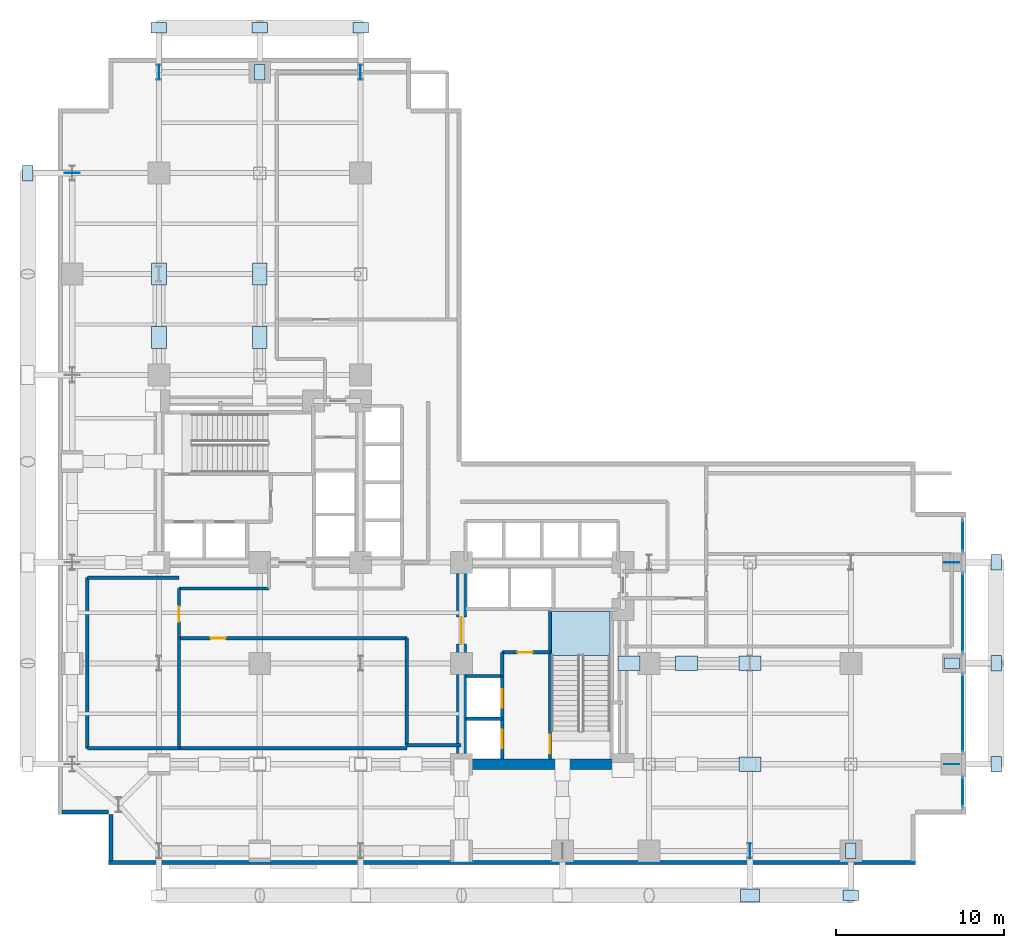
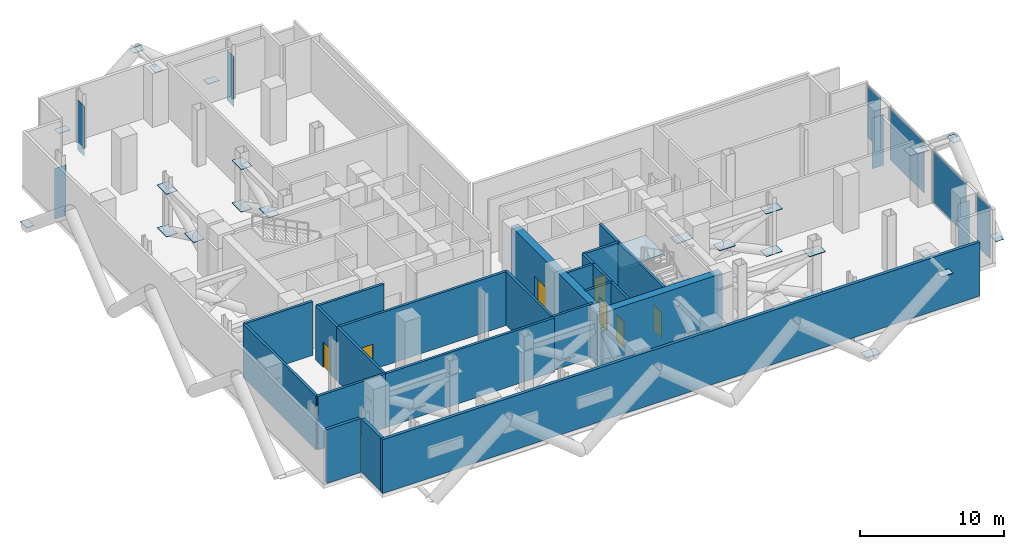
# One storey, part 7 of 10: 35 plates, 21 walls, 7 doors, 1 slab, 7 openings, 5 elements without a shape of their own.
"""IFC4 building model written with IfcOpenShell, lengths in metres."""

from ifc_helpers import new_model, si_unit, direction, frame, frame_2d, origin, origin_2d, place, context, subcontext, project, spatial, polyline, rectangle, outline, extrude, material, layer, layer_set, type_object, element, fill, aggregate, save


model = new_model("IFC4")

# Units and contexts
model_context = context("Model", 3, precision=1e-05, world=origin(), true_north=direction((0.0, 1.0)))
body_context = subcontext(model_context, "Body", "Model", "MODEL_VIEW")
ifc_project = project(units=[si_unit("LENGTHUNIT", "METRE"), si_unit("AREAUNIT", "SQUARE_METRE"), si_unit("VOLUMEUNIT", "CUBIC_METRE"), si_unit("PLANEANGLEUNIT", "RADIAN"), si_unit("MASSUNIT", "GRAM", prefix="KILO"), si_unit("THERMODYNAMICTEMPERATUREUNIT", "KELVIN"), si_unit("POWERUNIT", "WATT")], contexts=[model_context])

# Site, building, storey
site_placement = place(None, origin())
site = spatial("IfcSite", under=ifc_project, at=site_placement, CompositionType="ELEMENT")
building_placement = place(site_placement, origin())
building = spatial("IfcBuilding", under=site, at=building_placement, Name="Svarakhadi Broadcast Tower", CompositionType="ELEMENT")
storey_placement = place(building_placement, frame((0.0, 0.0, 94.800048828125)))
storey = spatial("IfcBuildingStorey", under=building, at=storey_placement, Name="L22", CompositionType="ELEMENT", Elevation=94.800048828125)

# Curtain wall, plate
ifc_material_1 = material(Name="Anodised Bronze Aluminium AA 6063-T6", Category="aluminium")
ifc_layer_1 = layer(ifc_material_1, 0.260009765625)
ifc_layer_set_1 = layer_set([ifc_layer_1], Name="Anodised Bronze Aluminium AA 6063-T6")
curtain_wall_type = type_object("IfcCurtainWallType", Name="CW_Sys_07", PredefinedType="NOTDEFINED", material=ifc_layer_set_1)
curtain_wall_1_placement = place(storey_placement, origin())
curtain_wall_1 = element("IfcCurtainWall", 1, at=curtain_wall_1_placement, inside=storey, type_object=curtain_wall_type, Name="L22 East Plant Daylighting Curtain Wall CW-07 Bay 1", PredefinedType="NOTDEFINED")
ifc_material_2 = material(Name="Triple Laminated Solar-Control Crown Glass 42 mm", Category="glass")
ifc_layer_2 = layer(ifc_material_2, 0.0419921875)
ifc_layer_set_2 = layer_set([ifc_layer_2], Name="Triple Laminated Solar-Control Crown Glass 42 mm")
plate_type_1 = type_object("IfcPlateType", Name="CW_Sys_07_Pnl", PredefinedType="CURTAIN_PANEL", material=ifc_layer_set_2)
plate_1_placement = place(storey_placement, frame((53.800048828125, 19.590087890625, 0.08984375), z_axis=(0.0, 0.0, 1.0), x_axis=(0.0, -1.0, 0.0)))
plate_1 = element("IfcPlate", 2, at=plate_1_placement, type_object=plate_type_1, Name="CW-07 panel 1.1", PredefinedType="CURTAIN_PANEL", context=body_context, shape_type="SweptSolid", body=[
    extrude(rectangle(XDim=1.860107421875, YDim=0.0419921875, at=origin_2d()), origin(), (0.0, 0.0, 1.0), 4.39501953125),
])
aggregate(curtain_wall_1, [plate_1])

curtain_wall_2_placement = place(storey_placement, origin())
curtain_wall_2 = element("IfcCurtainWall", 3, at=curtain_wall_2_placement, inside=storey, type_object=curtain_wall_type, Name="L22 East Plant Daylighting Curtain Wall CW-07 Bay 2", PredefinedType="NOTDEFINED")
plate_2_placement = place(storey_placement, frame((53.800048828125, 15.0, 0.08984375), z_axis=(0.0, 0.0, 1.0), x_axis=(0.0, -1.0, 0.0)))
plate_2 = element("IfcPlate", 4, at=plate_2_placement, type_object=plate_type_1, Name="CW-07 panel 1.1", PredefinedType="CURTAIN_PANEL", context=body_context, shape_type="SweptSolid", body=[
    extrude(rectangle(XDim=4.679931640625, YDim=0.0419921875, at=origin_2d()), origin(), (0.0, 0.0, 1.0), 4.39501953125),
])
aggregate(curtain_wall_2, [plate_2])

curtain_wall_3_placement = place(storey_placement, origin())
curtain_wall_3 = element("IfcCurtainWall", 5, at=curtain_wall_3_placement, inside=storey, type_object=curtain_wall_type, Name="L22 East Plant Daylighting Curtain Wall CW-07 Bay 3", PredefinedType="NOTDEFINED")
plate_3_placement = place(storey_placement, frame((53.800048828125, 9.050048828125, 0.08984375), z_axis=(0.0, 0.0, 1.0), x_axis=(0.0, -1.0, 0.0)))
plate_3 = element("IfcPlate", 6, at=plate_3_placement, type_object=plate_type_1, Name="CW-07 panel 1.1", PredefinedType="CURTAIN_PANEL", context=body_context, shape_type="SweptSolid", body=[
    extrude(rectangle(XDim=4.580078125, YDim=0.0419921875, at=origin_2d()), origin(), (0.0, 0.0, 1.0), 4.39501953125),
])
aggregate(curtain_wall_3, [plate_3])

curtain_wall_4_placement = place(storey_placement, origin())
curtain_wall_4 = element("IfcCurtainWall", 7, at=curtain_wall_4_placement, inside=storey, type_object=curtain_wall_type, Name="L22 East Plant Daylighting Curtain Wall CW-07 Bay 4", PredefinedType="NOTDEFINED")
plate_4_placement = place(storey_placement, frame((53.800048828125, 4.360107421875, 0.08984375), z_axis=(0.0, 0.0, 1.0), x_axis=(0.0, -1.0, 0.0)))
plate_4 = element("IfcPlate", 8, at=plate_4_placement, type_object=plate_type_1, Name="CW-07 panel 1.1", PredefinedType="CURTAIN_PANEL", context=body_context, shape_type="SweptSolid", body=[
    extrude(rectangle(XDim=1.760009765625, YDim=0.0419921875, at=origin_2d()), origin(), (0.0, 0.0, 1.0), 4.39501953125),
])
aggregate(curtain_wall_4, [plate_4])

# Plates
ifc_material_3 = material(Name="Steel S460ML (IS 2062 E450BR)", Category="steel")
ifc_layer_3 = layer(ifc_material_3, 0.035888671875)
ifc_layer_set_3 = layer_set([ifc_layer_3], Name="Steel S460ML (IS 2062 E450BR)")
plate_type_2 = type_object("IfcPlateType", Name="Node_Gusset_N01", PredefinedType="SHEET", material=ifc_layer_set_3)
plate_5_placement = place(storey_placement, frame((41.14990234375, -1.800048828125, -0.3251953125), z_axis=(0.0, 0.0, 1.0), x_axis=(1.0, 0.0, 0.0)))
element("IfcPlate", 9, at=plate_5_placement, inside=storey, type_object=plate_type_2, Name="L22 Exoskeleton Gusset Node Plate S04", PredefinedType="SHEET", context=body_context, shape_type="SweptSolid", body=[
    extrude(rectangle(XDim=1.14990234375, YDim=0.780029296875, at=origin_2d()), origin(), (0.0, 0.0, 1.0), 0.035888671875),
])
ifc_layer_4 = layer(ifc_material_3, 0.02587890625)
ifc_layer_set_4 = layer_set([ifc_layer_4], Name="Steel S460ML (IS 2062 E450BR)")
plate_type_3 = type_object("IfcPlateType", Name="Node_Gusset_N07", PredefinedType="SHEET", material=ifc_layer_set_4)
for number, where, z_axis, x_axis, name in (
    (10, (-1.800048828125, 41.14990234375, -0.324951171875), (0.0, 0.0, 1.0), (0.0, 1.0, 0.0), "L22 Exoskeleton Gusset Node Plate W08"),
    (11, (55.800048828125, 6.0, -0.324951171875), (0.0, 0.0, 1.0), (0.0, 1.0, 0.0), "L22 Exoskeleton Gusset Node Plate E09"),
    (12, (55.800048828125, 18.0, -0.324951171875), (0.0, 0.0, 1.0), (0.0, 1.0, 0.0), "L22 Exoskeleton Gusset Node Plate E10"),
    (13, (6.0, 49.800048828125, -0.324951171875), (0.0, 0.0, 1.0), (1.0, 0.0, 0.0), "L22 Exoskeleton Gusset Node Plate N11"),
    (14, (18.0, 49.800048828125, -0.324951171875), (0.0, 0.0, 1.0), (1.0, 0.0, 0.0), "L22 Exoskeleton Gusset Node Plate N12"),
):
    element("IfcPlate", number, at=place(storey_placement, frame(where, z_axis=z_axis, x_axis=x_axis)), inside=storey, type_object=plate_type_3, Name=name, PredefinedType="SHEET", context=body_context, shape_type="SweptSolid", body=[
        extrude(rectangle(XDim=0.919921875, YDim=0.6201171875, at=origin_2d()), origin(), (0.0, 0.0, 1.0), 0.02587890625),
    ])
plate_6_placement = place(storey_placement, frame((41.14990234375, 0.85009765625, -0.70263671875), z_axis=(0.0, 0.0, 1.0), x_axis=(0.0, 1.0, 0.0)))
element("IfcPlate", 15, at=plate_6_placement, inside=storey, type_object=plate_type_3, Name="L22 Brace End Connection Gusset Plate N-07-E0170", PredefinedType="SHEET", context=body_context, shape_type="SweptSolid", body=[
    extrude(rectangle(XDim=0.919921875, YDim=0.02587890625, at=origin_2d()), origin(), (0.0, 0.0, 1.0), 4.300048828125),
])
for number, where, z_axis, x_axis, name in (
    (16, (47.14990234375, -1.800048828125, 4.39990234375), (0.0, 0.0, 1.0), (1.0, 0.0, 0.0), "L22 Brace End Connection Gusset Plate N-07-E0171"),
    (17, (47.14990234375, 0.85009765625, 4.39990234375), (0.0, 0.0, 1.0), (0.0, 1.0, 0.0), "L22 Brace End Connection Gusset Plate N-07-E0172"),
):
    element("IfcPlate", number, at=place(storey_placement, frame(where, z_axis=z_axis, x_axis=x_axis)), inside=storey, type_object=plate_type_3, Name=name, PredefinedType="SHEET", context=body_context, shape_type="SweptSolid", body=[
        extrude(rectangle(XDim=0.919921875, YDim=0.6201171875, at=origin_2d()), origin(), (0.0, 0.0, 1.0), 0.02587890625),
    ])
for number, where, z_axis, x_axis, name in (
    (18, (0.85009765625, 41.14990234375, -0.70263671875), (0.0, 0.0, 1.0), (1.0, 0.0, 0.0), "L22 Brace End Connection Gusset Plate N-07-E0176"),
    (19, (53.14990234375, 6.0, -0.70263671875), (0.0, 0.0, 1.0), (1.0, 0.0, 0.0), "L22 Brace End Connection Gusset Plate N-07-E0177"),
    (20, (53.14990234375, 18.0, -0.70263671875), (0.0, 0.0, 1.0), (1.0, 0.0, 0.0), "L22 Brace End Connection Gusset Plate N-07-E0178"),
):
    element("IfcPlate", number, at=place(storey_placement, frame(where, z_axis=z_axis, x_axis=x_axis)), inside=storey, type_object=plate_type_3, Name=name, PredefinedType="SHEET", context=body_context, shape_type="SweptSolid", body=[
        extrude(rectangle(XDim=0.919921875, YDim=0.02587890625, at=origin_2d()), origin(), (0.0, 0.0, 1.0), 4.300048828125),
    ])
for number, where, z_axis, x_axis, name in (
    (21, (55.800048828125, 12.0, 4.39990234375), (0.0, 0.0, 1.0), (0.0, 1.0, 0.0), "L22 Brace End Connection Gusset Plate N-07-E0179"),
    (22, (53.14990234375, 12.0, 4.39990234375), (0.0, 0.0, 1.0), (1.0, 0.0, 0.0), "L22 Brace End Connection Gusset Plate N-07-E0180"),
):
    element("IfcPlate", number, at=place(storey_placement, frame(where, z_axis=z_axis, x_axis=x_axis)), inside=storey, type_object=plate_type_3, Name=name, PredefinedType="SHEET", context=body_context, shape_type="SweptSolid", body=[
        extrude(rectangle(XDim=0.919921875, YDim=0.6201171875, at=origin_2d()), origin(), (0.0, 0.0, 1.0), 0.02587890625),
    ])
for number, where, z_axis, x_axis, name in (
    (23, (6.0, 47.14990234375, -0.70263671875), (0.0, 0.0, 1.0), (0.0, 1.0, 0.0), "L22 Brace End Connection Gusset Plate N-07-E0181"),
    (24, (18.0, 47.14990234375, -0.70263671875), (0.0, 0.0, 1.0), (0.0, 1.0, 0.0), "L22 Brace End Connection Gusset Plate N-07-E0182"),
):
    element("IfcPlate", number, at=place(storey_placement, frame(where, z_axis=z_axis, x_axis=x_axis)), inside=storey, type_object=plate_type_3, Name=name, PredefinedType="SHEET", context=body_context, shape_type="SweptSolid", body=[
        extrude(rectangle(XDim=0.919921875, YDim=0.02587890625, at=origin_2d()), origin(), (0.0, 0.0, 1.0), 4.300048828125),
    ])
for number, where, z_axis, x_axis, name in (
    (25, (12.0, 49.800048828125, 4.39990234375), (0.0, 0.0, 1.0), (1.0, 0.0, 0.0), "L22 Brace End Connection Gusset Plate N-07-E0183"),
    (26, (12.0, 47.14990234375, 4.39990234375), (0.0, 0.0, 1.0), (0.0, 1.0, 0.0), "L22 Brace End Connection Gusset Plate N-07-E0184"),
):
    element("IfcPlate", number, at=place(storey_placement, frame(where, z_axis=z_axis, x_axis=x_axis)), inside=storey, type_object=plate_type_3, Name=name, PredefinedType="SHEET", context=body_context, shape_type="SweptSolid", body=[
        extrude(rectangle(XDim=0.919921875, YDim=0.6201171875, at=origin_2d()), origin(), (0.0, 0.0, 1.0), 0.02587890625),
    ])
ifc_layer_5 = layer(ifc_material_3, 0.0419921875)
ifc_layer_set_5 = layer_set([ifc_layer_5], Name="Steel S460ML (IS 2062 E450BR)")
plate_type_4 = type_object("IfcPlateType", Name="Outrigger_Node_ON01", PredefinedType="SHEET", material=ifc_layer_set_5)
for number, where, z_axis, x_axis, name in (
    (27, (6.0, 31.375, 1.79150390625), (0.0, 0.0, 1.0), (0.0, 1.0, 0.0), "L22 Outrigger Truss Crossing Gusset Plate ON-01-03"),
    (28, (12.0, 31.375, 1.79150390625), (0.0, 0.0, 1.0), (0.0, 1.0, 0.0), "L22 Outrigger Truss Crossing Gusset Plate ON-01-04"),
    (29, (37.375, 12.0, 1.79150390625), (0.0, 0.0, 1.0), (1.0, 0.0, 0.0), "L22 Outrigger Truss Crossing Gusset Plate ON-01-08"),
    (30, (6.0, 35.14990234375, 3.60400390625), (0.0, 0.0, 1.0), (0.0, 1.0, 0.0), "L22 Brace End Connection Gusset Plate ON-01-E0612"),
    (31, (6.0, 35.14990234375, -0.02099609375), (0.0, 0.0, 1.0), (0.0, 1.0, 0.0), "L22 Brace End Connection Gusset Plate ON-01-E0613"),
    (32, (12.0, 35.14990234375, 3.60400390625), (0.0, 0.0, 1.0), (0.0, 1.0, 0.0), "L22 Brace End Connection Gusset Plate ON-01-E0616"),
    (33, (12.0, 35.14990234375, -0.02099609375), (0.0, 0.0, 1.0), (0.0, 1.0, 0.0), "L22 Brace End Connection Gusset Plate ON-01-E0617"),
    (34, (41.14990234375, 6.0, 3.60400390625), (0.0, 0.0, 1.0), (1.0, 0.0, 0.0), "L22 Brace End Connection Gusset Plate ON-01-E0626"),
    (35, (41.14990234375, 6.0, -0.02099609375), (0.0, 0.0, 1.0), (1.0, 0.0, 0.0), "L22 Brace End Connection Gusset Plate ON-01-E0627"),
    (36, (33.949951171875, 12.0, -0.02099609375), (0.0, 0.0, 1.0), (1.0, 0.0, 0.0), "L22 Brace End Connection Gusset Plate ON-01-E0629"),
    (37, (41.14990234375, 12.0, 3.60400390625), (0.0, 0.0, 1.0), (1.0, 0.0, 0.0), "L22 Brace End Connection Gusset Plate ON-01-E0630"),
    (38, (41.14990234375, 12.0, -0.02099609375), (0.0, 0.0, 1.0), (1.0, 0.0, 0.0), "L22 Brace End Connection Gusset Plate ON-01-E0631"),
    (39, (33.949951171875, 12.0, 3.60400390625), (0.0, 0.0, 1.0), (1.0, 0.0, 0.0), "L22 Brace End Connection Gusset Plate ON-01-E0632"),
):
    element("IfcPlate", number, at=place(storey_placement, frame(where, z_axis=z_axis, x_axis=x_axis)), inside=storey, type_object=plate_type_4, Name=name, PredefinedType="SHEET", context=body_context, shape_type="SweptSolid", body=[
        extrude(rectangle(XDim=1.300048828125, YDim=0.8798828125, at=origin_2d()), origin(), (0.0, 0.0, 1.0), 0.0419921875),
    ])

# Stair, slab
ifc_material_4 = material(Name="Concrete C40/50 (IS 456 M50)", Category="concrete")
stair_type = type_object("IfcStairType", Name="Stair_Exit_Core", PredefinedType="HALF_TURN_STAIR", material=ifc_material_4)
stair_placement = place(storey_placement, origin())
stair = element("IfcStair", 40, at=stair_placement, inside=storey, type_object=stair_type, Name="L22 East Core Protected Exit Stair ST-02", PredefinedType="HALF_TURN_STAIR")
ifc_layer_6 = layer(ifc_material_4, 0.199951171875)
ifc_layer_set_6 = layer_set([ifc_layer_6], Name="Concrete C40/50 (IS 456 M50)")
slab_type = type_object("IfcSlabType", Name="Slab_Stair_Land", PredefinedType="LANDING", material=ifc_layer_set_6)
slab_placement = place(storey_placement, frame((0.0, 0.0, 2.199951171875)))
slab = element("IfcSlab", 41, at=slab_placement, type_object=slab_type, Name="ST-02 landing 1", PredefinedType="LANDING", context=body_context, shape_type="SweptSolid", body=[
    extrude(outline(polyline([(32.840087890625, 12.47998046875), (32.840087890625, 15.080078125), (29.360107421875, 15.080078125), (29.360107421875, 12.47998046875), (32.840087890625, 12.47998046875)])), origin(), (0.0, 0.0, 1.0), 0.199951171875),
])
aggregate(stair, [slab])

# Walls
ifc_layer_7 = layer(ifc_material_4, 0.239990234375)
ifc_layer_set_7 = layer_set([ifc_layer_7], Name="Concrete C40/50 (IS 456 M50)")
wall_type_1 = type_object("IfcWallType", Name="Wall_Ext_240", PredefinedType="SOLIDWALL", material=ifc_layer_set_7)
wall_1_placement = place(storey_placement, frame((51.0, 0.14990234375, 0.0), z_axis=(0.0, 0.0, 1.0), x_axis=(-1.0, 0.0, 0.0)))
element("IfcWall", 42, at=wall_1_placement, inside=storey, type_object=wall_type_1, Name="L22 South Mechanical Acoustic Louvred Plant Wall", PredefinedType="SOLIDWALL", context=body_context, shape_type="SweptSolid", body=[
    extrude(rectangle(XDim=48.0, YDim=0.239990234375, at=frame_2d((24.0, 0.0))), origin(), (0.0, 0.0, 1.0), 4.574951171875),
])
for number, where, z_axis, x_axis, name in (
    (43, (3.0, 3.14990234375, 0.0), (0.0, 0.0, 1.0), (-1.0, 0.0, 0.0), "L22 Perimeter Bronze Spandrel Closure Wall 01"),
    (44, (3.14990234375, 0.2548828125, 0.0), (0.0, 0.0, 1.0), (0.0, 1.0, 0.0), "L22 Perimeter Bronze Spandrel Closure Wall 16"),
):
    element("IfcWall", number, at=place(storey_placement, frame(where, z_axis=z_axis, x_axis=x_axis)), inside=storey, type_object=wall_type_1, Name=name, PredefinedType="SOLIDWALL", context=body_context, shape_type="SweptSolid", body=[
        extrude(rectangle(XDim=2.7451171875, YDim=0.239990234375, at=frame_2d((1.37255859375, 0.0))), origin(), (0.0, 0.0, 1.0), 4.574951171875),
    ])

# Wall, opening, door
ifc_layer_8 = layer(ifc_material_4, 0.199951171875)
ifc_layer_set_8 = layer_set([ifc_layer_8], Name="Concrete C40/50 (IS 456 M50)")
wall_type_2 = type_object("IfcWallType", Name="Wall_Fire_200", PredefinedType="SOLIDWALL", material=ifc_layer_set_8)
wall_2_placement = place(storey_placement, frame((20.75, 13.5, 0.0), z_axis=(0.0, 0.0, 1.0), x_axis=(-1.0, 0.0, 0.0)))
wall_2 = element("IfcWall", 45, at=wall_2_placement, inside=storey, type_object=wall_type_2, Name="L22 Plant Service Corridor Wall", PredefinedType="SOLIDWALL", context=body_context, shape_type="SweptSolid", body=[
    extrude(rectangle(XDim=13.550048828125, YDim=0.199951171875, at=frame_2d((6.77490234375, 0.0))), origin(), (0.0, 0.0, 1.0), 4.574951171875),
])
opening_1_placement = place(wall_2_placement, frame((10.77490234375, 0.0, 0.0)))
opening_1 = element("IfcOpeningElement", 46, at=opening_1_placement, cuts=wall_2, Name="Opening D-03", PredefinedType="OPENING", context=body_context, shape_type="SweptSolid", body=[
    extrude(rectangle(XDim=0.89990234375, YDim=2.14990234375, at=frame_2d((0.449951171875, 1.074951171875))), frame((0.0, 0.10986328125, 0.0), z_axis=(0.0, -1.0, 0.0), x_axis=(1.0, 0.0, 0.0)), (0.0, 0.0, 1.0), 0.219970703125),
])
ifc_material_5 = material(Name="Galvanised Powder-Coated Fire-Rated Steel Leaf", Category="steel")
door_type_1 = type_object("IfcDoorType", Name="Door_Fire_D03", OperationType="SINGLE_SWING_LEFT", PredefinedType="DOOR", material=ifc_material_5)
door_1_placement = place(opening_1_placement, origin())
door_1 = element("IfcDoor", 47, at=door_1_placement, inside=storey, type_object=door_type_1, Name="L22 Pressurised Fire Refuge Area West Door", OperationType="SINGLE_SWING_LEFT", OverallHeight=2.14990234375, OverallWidth=0.89990234375, PredefinedType="DOOR", context=body_context, shape_type="SweptSolid", body=[
    extrude(rectangle(XDim=0.89990234375, YDim=2.14990234375, at=frame_2d((0.449951171875, 1.074951171875))), frame((0.0, 0.02490234375, 0.0), z_axis=(0.0, -1.0, 0.0), x_axis=(1.0, 0.0, 0.0)), (0.0, 0.0, 1.0), 0.050048828125),
])
fill(opening_1, door_1)

wall_3_placement = place(storey_placement, frame((7.199951171875, 13.5, 0.0), z_axis=(0.0, 0.0, 1.0), x_axis=(0.0, 1.0, 0.0)))
wall_3 = element("IfcWall", 48, at=wall_3_placement, inside=storey, type_object=wall_type_2, Name="L22 Plant Service Corridor Wall", PredefinedType="SOLIDWALL", context=body_context, shape_type="SweptSolid", body=[
    extrude(rectangle(XDim=2.949951171875, YDim=0.199951171875, at=frame_2d((1.47509765625, 0.0))), origin(), (0.0, 0.0, 1.0), 4.574951171875),
])
opening_2_placement = place(wall_3_placement, frame((0.97509765625, 0.0, 0.0)))
opening_2 = element("IfcOpeningElement", 49, at=opening_2_placement, cuts=wall_3, Name="Opening D-04", PredefinedType="OPENING", context=body_context, shape_type="SweptSolid", body=[
    extrude(rectangle(XDim=0.89990234375, YDim=2.14990234375, at=frame_2d((0.449951171875, 1.074951171875))), frame((0.0, 0.10986328125, 0.0), z_axis=(0.0, -1.0, 0.0), x_axis=(1.0, 0.0, 0.0)), (0.0, 0.0, 1.0), 0.219970703125),
])
door_type_2 = type_object("IfcDoorType", Name="Door_Fire_D04", OperationType="SINGLE_SWING_RIGHT", PredefinedType="DOOR", material=ifc_material_5)
door_2_placement = place(opening_2_placement, origin())
door_2 = element("IfcDoor", 50, at=door_2_placement, inside=storey, type_object=door_type_2, Name="L22 Primary Supply Air Handling Plant Room Door", OperationType="SINGLE_SWING_RIGHT", OverallHeight=2.14990234375, OverallWidth=0.89990234375, PredefinedType="DOOR", context=body_context, shape_type="SweptSolid", body=[
    extrude(rectangle(XDim=0.89990234375, YDim=2.14990234375, at=frame_2d((0.449951171875, 1.074951171875))), frame((0.0, 0.02490234375, 0.0), z_axis=(0.0, -1.0, 0.0), x_axis=(1.0, 0.0, 0.0)), (0.0, 0.0, 1.0), 0.050048828125),
])
fill(opening_2, door_2)

# Walls
wall_4_placement = place(storey_placement, frame((7.199951171875, 16.449951171875, 0.0), z_axis=(0.0, 0.0, 1.0), x_axis=(1.0, 0.0, 0.0)))
element("IfcWall", 51, at=wall_4_placement, inside=storey, type_object=wall_type_2, Name="L22 Plant Service Corridor Wall", PredefinedType="SOLIDWALL", context=body_context, shape_type="SweptSolid", body=[
    extrude(rectangle(XDim=5.35009765625, YDim=0.199951171875, at=frame_2d((2.675048828125, 0.0))), origin(), (0.0, 0.0, 1.0), 4.574951171875),
])
wall_5_placement = place(storey_placement, frame((23.97998046875, 7.1201171875, 0.0), z_axis=(0.0, 0.0, 1.0), x_axis=(-1.0, 0.0, 0.0)))
element("IfcWall", 52, at=wall_5_placement, inside=storey, type_object=wall_type_2, Name="L22 Plant Service Corridor Wall", PredefinedType="SOLIDWALL", context=body_context, shape_type="SweptSolid", body=[
    extrude(rectangle(XDim=3.22998046875, YDim=0.199951171875, at=frame_2d((1.614990234375, 0.0))), origin(), (0.0, 0.0, 1.0), 4.574951171875),
])
wall_6_placement = place(storey_placement, frame((20.75, 7.1201171875, 0.0), z_axis=(0.0, 0.0, 1.0), x_axis=(0.0, 1.0, 0.0)))
element("IfcWall", 53, at=wall_6_placement, inside=storey, type_object=wall_type_2, Name="L22 Plant Service Corridor Wall", PredefinedType="SOLIDWALL", context=body_context, shape_type="SweptSolid", body=[
    extrude(rectangle(XDim=6.3798828125, YDim=0.199951171875, at=frame_2d((3.18994140625, 0.0))), origin(), (0.0, 0.0, 1.0), 4.574951171875),
])
wall_7_placement = place(storey_placement, frame((7.199951171875, 6.949951171875, 0.0), z_axis=(0.0, 0.0, 1.0), x_axis=(1.0, 0.0, 0.0)))
element("IfcWall", 54, at=wall_7_placement, inside=storey, type_object=wall_type_2, Name="L22 Pressurised Fire Refuge Area West Wall", PredefinedType="SOLIDWALL", context=body_context, shape_type="SweptSolid", body=[
    extrude(rectangle(XDim=13.550048828125, YDim=0.199951171875, at=frame_2d((6.77490234375, 0.0))), origin(), (0.0, 0.0, 1.0), 4.574951171875),
])
wall_8_placement = place(storey_placement, frame((7.199951171875, 6.949951171875, 0.0), z_axis=(0.0, 0.0, 1.0), x_axis=(0.0, 1.0, 0.0)))
element("IfcWall", 55, at=wall_8_placement, inside=storey, type_object=wall_type_2, Name="L22 Pressurised Fire Refuge Area West Wall", PredefinedType="SOLIDWALL", context=body_context, shape_type="SweptSolid", body=[
    extrude(rectangle(XDim=6.550048828125, YDim=0.199951171875, at=frame_2d((3.27490234375, 0.0))), origin(), (0.0, 0.0, 1.0), 4.574951171875),
])
for number, where, z_axis, x_axis, name in (
    (56, (1.75, 6.949951171875, 0.0), (0.0, 0.0, 1.0), (1.0, 0.0, 0.0), "L22 Primary Supply Air Handling Plant Room Wall"),
    (57, (1.75, 17.10009765625, 0.0), (0.0, 0.0, 1.0), (1.0, 0.0, 0.0), "L22 Primary Supply Air Handling Plant Room Wall"),
):
    element("IfcWall", number, at=place(storey_placement, frame(where, z_axis=z_axis, x_axis=x_axis)), inside=storey, type_object=wall_type_2, Name=name, PredefinedType="SOLIDWALL", context=body_context, shape_type="SweptSolid", body=[
        extrude(rectangle(XDim=5.449951171875, YDim=0.199951171875, at=frame_2d((2.72509765625, 0.0))), origin(), (0.0, 0.0, 1.0), 4.574951171875),
    ])
wall_9_placement = place(storey_placement, frame((1.75, 6.949951171875, 0.0), z_axis=(0.0, 0.0, 1.0), x_axis=(0.0, 1.0, 0.0)))
element("IfcWall", 58, at=wall_9_placement, inside=storey, type_object=wall_type_2, Name="L22 Primary Supply Air Handling Plant Room Wall", PredefinedType="SOLIDWALL", context=body_context, shape_type="SweptSolid", body=[
    extrude(rectangle(XDim=10.150146484375, YDim=0.199951171875, at=frame_2d((5.0751953125, 0.0))), origin(), (0.0, 0.0, 1.0), 4.574951171875),
])

# Wall, opening, door
ifc_material_6 = material(Name="Concrete C50/60 (IS 456 M60)", Category="concrete")
ifc_layer_9 = layer(ifc_material_6, 0.199951171875)
ifc_layer_set_9 = layer_set([ifc_layer_9], Name="Concrete C50/60 (IS 456 M60)")
wall_type_3 = type_object("IfcWallType", Name="Wall_Shear_200", PredefinedType="SHEAR", material=ifc_layer_set_9)
wall_10_placement = place(storey_placement, frame((29.260009765625, 6.300048828125, 0.0), z_axis=(0.0, 0.0, 1.0), x_axis=(0.0, 1.0, 0.0)))
wall_10 = element("IfcWall", 59, at=wall_10_placement, inside=storey, type_object=wall_type_3, Name="L22 Stair ST-02 West RC Shaft Wall", PredefinedType="SHEAR", context=body_context, shape_type="SweptSolid", body=[
    extrude(rectangle(XDim=8.8798828125, YDim=0.199951171875, at=frame_2d((4.43994140625, 0.0))), origin(), (0.0, 0.0, 1.0), 4.574951171875),
])
opening_3_placement = place(wall_10_placement, frame((0.35009765625, 0.0, 0.0)))
opening_3 = element("IfcOpeningElement", 60, at=opening_3_placement, cuts=wall_10, Name="Opening D-02", PredefinedType="OPENING", context=body_context, shape_type="SweptSolid", body=[
    extrude(rectangle(XDim=1.10009765625, YDim=2.199951171875, at=frame_2d((0.550048828125, 1.10009765625))), frame((0.0, 0.10986328125, 0.0), z_axis=(0.0, -1.0, 0.0), x_axis=(1.0, 0.0, 0.0)), (0.0, 0.0, 1.0), 0.219970703125),
])
door_type_3 = type_object("IfcDoorType", Name="Door_Stair_D02", OperationType="SINGLE_SWING_RIGHT", PredefinedType="DOOR", material=ifc_material_5)
door_3_placement = place(opening_3_placement, origin())
door_3 = element("IfcDoor", 61, at=door_3_placement, inside=storey, type_object=door_type_3, Name="L22 Protected Exit Stair ST-02 Fire Door", OperationType="SINGLE_SWING_RIGHT", OverallHeight=2.199951171875, OverallWidth=1.10009765625, PredefinedType="DOOR", context=body_context, shape_type="SweptSolid", body=[
    extrude(rectangle(XDim=1.10009765625, YDim=2.199951171875, at=frame_2d((0.550048828125, 1.10009765625))), frame((0.0, 0.02490234375, 0.0), z_axis=(0.0, -1.0, 0.0), x_axis=(1.0, 0.0, 0.0)), (0.0, 0.0, 1.0), 0.050048828125),
])
fill(opening_3, door_3)

# Wall, openings, doors
wall_11_placement = place(storey_placement, frame((26.419921875, 6.300048828125, 0.0), z_axis=(0.0, 0.0, 1.0), x_axis=(0.0, 1.0, 0.0)))
wall_11 = element("IfcWall", 62, at=wall_11_placement, inside=storey, type_object=wall_type_3, Name="L22 Firefighting Lift LF-03/04 Shaft Wall", PredefinedType="SHEAR", context=body_context, shape_type="SweptSolid", body=[
    extrude(rectangle(XDim=4.949951171875, YDim=0.199951171875, at=frame_2d((2.47509765625, 0.0))), origin(), (0.0, 0.0, 1.0), 4.574951171875),
])
opening_4_placement = place(wall_11_placement, frame((0.64990234375, 0.0, 0.0)))
opening_4 = element("IfcOpeningElement", 63, at=opening_4_placement, cuts=wall_11, Name="Opening LD-01", PredefinedType="OPENING", context=body_context, shape_type="SweptSolid", body=[
    extrude(rectangle(XDim=1.10009765625, YDim=2.199951171875, at=frame_2d((0.550048828125, 1.10009765625))), frame((0.0, 0.10986328125, 0.0), z_axis=(0.0, -1.0, 0.0), x_axis=(1.0, 0.0, 0.0)), (0.0, 0.0, 1.0), 0.219970703125),
])
opening_5_placement = place(wall_11_placement, frame((3.050048828125, 0.0, 0.0)))
opening_5 = element("IfcOpeningElement", 64, at=opening_5_placement, cuts=wall_11, Name="Opening LD-01", PredefinedType="OPENING", context=body_context, shape_type="SweptSolid", body=[
    extrude(rectangle(XDim=1.10009765625, YDim=2.199951171875, at=frame_2d((0.550048828125, 1.10009765625))), frame((0.0, 0.10986328125, 0.0), z_axis=(0.0, -1.0, 0.0), x_axis=(1.0, 0.0, 0.0)), (0.0, 0.0, 1.0), 0.219970703125),
])
door_type_4 = type_object("IfcDoorType", Name="Door_Lift_LD01", OperationType="SLIDING_TO_LEFT", PredefinedType="DOOR", material=ifc_material_5)
door_4_placement = place(opening_4_placement, origin())
door_4 = element("IfcDoor", 65, at=door_4_placement, inside=storey, type_object=door_type_4, Name="L22 Firefighting Lift LF-03 Landing Door", OperationType="SLIDING_TO_LEFT", OverallHeight=2.199951171875, OverallWidth=1.10009765625, PredefinedType="DOOR", context=body_context, shape_type="SweptSolid", body=[
    extrude(rectangle(XDim=1.10009765625, YDim=2.199951171875, at=frame_2d((0.550048828125, 1.10009765625))), frame((0.0, 0.02490234375, 0.0), z_axis=(0.0, -1.0, 0.0), x_axis=(1.0, 0.0, 0.0)), (0.0, 0.0, 1.0), 0.050048828125),
])
fill(opening_4, door_4)
door_5_placement = place(opening_5_placement, origin())
door_5 = element("IfcDoor", 66, at=door_5_placement, inside=storey, type_object=door_type_4, Name="L22 Firefighting Lift LF-04 Landing Door", OperationType="SLIDING_TO_LEFT", OverallHeight=2.199951171875, OverallWidth=1.10009765625, PredefinedType="DOOR", context=body_context, shape_type="SweptSolid", body=[
    extrude(rectangle(XDim=1.10009765625, YDim=2.199951171875, at=frame_2d((0.550048828125, 1.10009765625))), frame((0.0, 0.02490234375, 0.0), z_axis=(0.0, -1.0, 0.0), x_axis=(1.0, 0.0, 0.0)), (0.0, 0.0, 1.0), 0.050048828125),
])
fill(opening_5, door_5)

# Walls
for number, where, z_axis, x_axis, name in (
    (67, (24.25, 8.699951171875, 0.0), (0.0, 0.0, 1.0), (1.0, 0.0, 0.0), "L22 Firefighting Lift LF-03/04 Divider Wall"),
    (68, (24.25, 11.25, 0.0), (0.0, 0.0, 1.0), (1.0, 0.0, 0.0), "L22 Firefighting Lift LF-04 North Wall"),
):
    element("IfcWall", number, at=place(storey_placement, frame(where, z_axis=z_axis, x_axis=x_axis)), inside=storey, type_object=wall_type_3, Name=name, PredefinedType="SHEAR", context=body_context, shape_type="SweptSolid", body=[
        extrude(rectangle(XDim=2.169921875, YDim=0.199951171875, at=frame_2d((1.0849609375, 0.0))), origin(), (0.0, 0.0, 1.0), 4.574951171875),
    ])
wall_12_placement = place(storey_placement, frame((26.419921875, 11.25, 0.0), z_axis=(0.0, 0.0, 1.0), x_axis=(0.0, 1.0, 0.0)))
element("IfcWall", 69, at=wall_12_placement, inside=storey, type_object=wall_type_3, Name="L22 East Firefighting Lobby West Wall", PredefinedType="SHEAR", context=body_context, shape_type="SweptSolid", body=[
    extrude(rectangle(XDim=1.39990234375, YDim=0.199951171875, at=frame_2d((0.699951171875, 0.0))), origin(), (0.0, 0.0, 1.0), 4.574951171875),
])

# Wall, opening, door
wall_13_placement = place(storey_placement, frame((26.419921875, 12.64990234375, 0.0), z_axis=(0.0, 0.0, 1.0), x_axis=(1.0, 0.0, 0.0)))
wall_13 = element("IfcWall", 70, at=wall_13_placement, inside=storey, type_object=wall_type_3, Name="L22 East Firefighting Lobby North Wall", PredefinedType="SHEAR", context=body_context, shape_type="SweptSolid", body=[
    extrude(rectangle(XDim=2.840087890625, YDim=0.199951171875, at=frame_2d((1.419921875, 0.0))), origin(), (0.0, 0.0, 1.0), 4.574951171875),
])
opening_6_placement = place(wall_13_placement, frame((0.89990234375, 0.0, 0.0)))
opening_6 = element("IfcOpeningElement", 71, at=opening_6_placement, cuts=wall_13, Name="Opening D-03", PredefinedType="OPENING", context=body_context, shape_type="SweptSolid", body=[
    extrude(rectangle(XDim=0.89990234375, YDim=2.14990234375, at=frame_2d((0.449951171875, 1.074951171875))), frame((0.0, 0.10986328125, 0.0), z_axis=(0.0, -1.0, 0.0), x_axis=(1.0, 0.0, 0.0)), (0.0, 0.0, 1.0), 0.219970703125),
])
door_6_placement = place(opening_6_placement, origin())
door_6 = element("IfcDoor", 72, at=door_6_placement, inside=storey, type_object=door_type_1, Name="L22 East Firefighting Lobby Fire Door", OperationType="SINGLE_SWING_LEFT", OverallHeight=2.14990234375, OverallWidth=0.89990234375, PredefinedType="DOOR", context=body_context, shape_type="SweptSolid", body=[
    extrude(rectangle(XDim=0.89990234375, YDim=2.14990234375, at=frame_2d((0.449951171875, 1.074951171875))), frame((0.0, 0.02490234375, 0.0), z_axis=(0.0, -1.0, 0.0), x_axis=(1.0, 0.0, 0.0)), (0.0, 0.0, 1.0), 0.050048828125),
])
fill(opening_6, door_6)

# Wall
ifc_material_7 = material(Name="Concrete C60/75 (IS 456 M70)", Category="concrete")
ifc_layer_10 = layer(ifc_material_7, 0.60009765625)
ifc_layer_set_10 = layer_set([ifc_layer_10], Name="Concrete C60/75 (IS 456 M70)")
wall_type_4 = type_object("IfcWallType", Name="Wall_Shear_600", PredefinedType="SHEAR", material=ifc_layer_set_10)
wall_14_placement = place(storey_placement, frame((24.0, 6.0, 0.0), z_axis=(0.0, 0.0, 1.0), x_axis=(1.0, 0.0, 0.0)))
element("IfcWall", 73, at=wall_14_placement, inside=storey, type_object=wall_type_4, Name="L22 East Core South Shear Wall", PredefinedType="SHEAR", context=body_context, shape_type="SweptSolid", body=[
    extrude(rectangle(XDim=9.60009765625, YDim=0.60009765625, at=frame_2d((4.800048828125, 0.0))), origin(), (0.0, 0.0, 1.0), 4.574951171875),
])

# Wall, opening, door
wall_15_placement = place(storey_placement, frame((24.0, 6.0, 0.0), z_axis=(0.0, 0.0, 1.0), x_axis=(0.0, 1.0, 0.0)))
wall_15 = element("IfcWall", 74, at=wall_15_placement, inside=storey, type_object=wall_type_4, Name="L22 East Core West Shear Wall", PredefinedType="SHEAR", context=body_context, shape_type="SweptSolid", body=[
    extrude(rectangle(XDim=12.0, YDim=0.60009765625, at=frame_2d((6.0, 0.0))), origin(), (0.0, 0.0, 1.0), 4.574951171875),
])
opening_7_placement = place(wall_15_placement, frame((7.14990234375, 0.0, 0.0)))
opening_7 = element("IfcOpeningElement", 75, at=opening_7_placement, cuts=wall_15, Name="Opening D-05", PredefinedType="OPENING", context=body_context, shape_type="SweptSolid", body=[
    extrude(rectangle(XDim=1.60009765625, YDim=2.300048828125, at=frame_2d((0.800048828125, 1.14990234375))), frame((0.0, 0.31005859375, 0.0), z_axis=(0.0, -1.0, 0.0), x_axis=(1.0, 0.0, 0.0)), (0.0, 0.0, 1.0), 0.6201171875),
])
door_type_5 = type_object("IfcDoorType", Name="Door_Lobby_D05", OperationType="DOUBLE_DOOR_SLIDING", PredefinedType="DOOR", material=ifc_material_1)
door_7_placement = place(opening_7_placement, origin())
door_7 = element("IfcDoor", 76, at=door_7_placement, inside=storey, type_object=door_type_5, Name="L22 East Core Passenger Lift Lobby Entrance Door", OperationType="DOUBLE_DOOR_SLIDING", OverallHeight=2.300048828125, OverallWidth=1.60009765625, PredefinedType="DOOR", context=body_context, shape_type="SweptSolid", body=[
    extrude(rectangle(XDim=1.60009765625, YDim=2.300048828125, at=frame_2d((0.800048828125, 1.14990234375))), frame((0.0, 0.02490234375, 0.0), z_axis=(0.0, -1.0, 0.0), x_axis=(1.0, 0.0, 0.0)), (0.0, 0.0, 1.0), 0.050048828125),
])
fill(opening_7, door_7)

save(model, "model.ifc")
